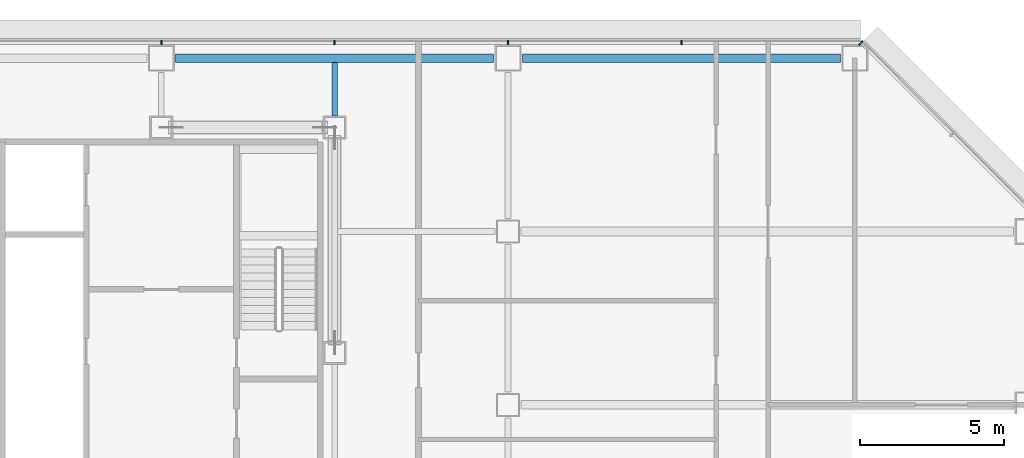
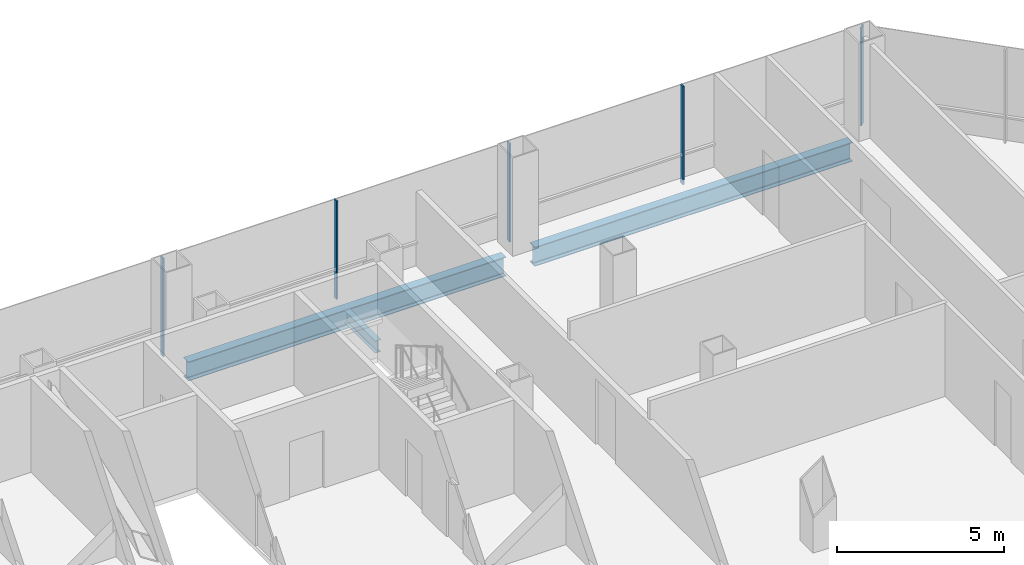
# One storey, part 15 of 27: 5 members, 3 beams, 2 elements without a shape of their own.
"""IFC4 building model written with IfcOpenShell, lengths in metres."""

from ifc_helpers import new_model, si_unit, direction, frame, origin, origin_2d, place, context, subcontext, project, spatial, rectangle, i_section, extrude, material, material_profile, profile_set, type_object, element, aggregate, save


model = new_model("IFC4")

# Units and contexts
model_context = context("Model", 3, precision=1e-05, world=origin(), true_north=direction((0.0, 1.0)))
body_context = subcontext(model_context, "Body", "Model", "MODEL_VIEW")
ifc_project = project(units=[si_unit("LENGTHUNIT", "METRE"), si_unit("AREAUNIT", "SQUARE_METRE"), si_unit("VOLUMEUNIT", "CUBIC_METRE"), si_unit("PLANEANGLEUNIT", "RADIAN"), si_unit("MASSUNIT", "GRAM", prefix="KILO")], contexts=[model_context])

# Site, building, storey
site_placement = place(None, origin())
site = spatial("IfcSite", under=ifc_project, at=site_placement, CompositionType="ELEMENT")
building_placement = place(site_placement, origin())
building = spatial("IfcBuilding", under=site, at=building_placement, Name="Sorahane Residences", CompositionType="ELEMENT")
storey_placement = place(building_placement, frame((0.0, 0.0, 49.800048828125)))
storey = spatial("IfcBuildingStorey", under=building, at=storey_placement, Name="L08", CompositionType="ELEMENT", Elevation=49.800048828125)

# Curtain wall, members
ifc_material_1 = material(Name="Dark low-e glass and black anodised aluminium", Category="aluminium")
curtain_wall_type_1 = type_object("IfcCurtainWallType", Name="Curtain wall CW-1 Typical unitised wall", PredefinedType="NOTDEFINED", material=ifc_material_1)
curtain_wall_1_placement = place(storey_placement, origin())
curtain_wall_1 = element("IfcCurtainWall", 1, at=curtain_wall_1_placement, inside=storey, type_object=curtain_wall_type_1, Name="CW-1 curtain wall L08 N1", PredefinedType="NOTDEFINED")
ifc_material_2 = material(Name="Black anodised aluminium", Category="aluminium")
ifc_material_profile_1 = material_profile(ifc_material_2, rectangle(XDim=0.159912109375, YDim=0.050048828125, at=origin_2d()), Name="Curtain wall mullion CW-1 black anodised aluminium 50x160")
ifc_profile_set_1 = profile_set([ifc_material_profile_1], Name="Black anodised aluminium")
member_type_1 = type_object("IfcMemberType", Name="Curtain wall mullion CW-1 black anodised aluminium 50x160", PredefinedType="MULLION", material=ifc_profile_set_1)
member_1_placement = place(storey_placement, frame((54.0, 48.5400390625, -0.179931640625), z_axis=(0.0, 0.0, 1.0), x_axis=(0.0, 1.0, 0.0)))
member_1 = element("IfcMember", 2, at=member_1_placement, type_object=member_type_1, Name="CW-1 mullion L08 N1.2", PredefinedType="MULLION", context=body_context, shape_type="SweptSolid", body=[
    extrude(rectangle(XDim=0.159912109375, YDim=0.050048828125, at=origin_2d()), origin(), (0.0, 0.0, 1.0), 3.599853515625),
])
member_2_placement = place(storey_placement, frame((48.0, 48.5400390625, -0.179931640625), z_axis=(0.0, 0.0, 1.0), x_axis=(0.0, 1.0, 0.0)))
member_2 = element("IfcMember", 3, at=member_2_placement, type_object=member_type_1, Name="CW-1 mullion L08 N1.3", PredefinedType="MULLION", context=body_context, shape_type="SweptSolid", body=[
    extrude(rectangle(XDim=0.159912109375, YDim=0.050048828125, at=origin_2d()), origin(), (0.0, 0.0, 1.0), 3.599853515625),
])
member_3_placement = place(storey_placement, frame((42.0, 48.5400390625, -0.179931640625), z_axis=(0.0, 0.0, 1.0), x_axis=(0.0, 1.0, 0.0)))
member_3 = element("IfcMember", 4, at=member_3_placement, type_object=member_type_1, Name="CW-1 mullion L08 N1.4", PredefinedType="MULLION", context=body_context, shape_type="SweptSolid", body=[
    extrude(rectangle(XDim=0.159912109375, YDim=0.050048828125, at=origin_2d()), origin(), (0.0, 0.0, 1.0), 3.599853515625),
])
member_4_placement = place(storey_placement, frame((36.0, 48.5400390625, -0.179931640625), z_axis=(0.0, 0.0, 1.0), x_axis=(0.0, 1.0, 0.0)))
member_4 = element("IfcMember", 5, at=member_4_placement, type_object=member_type_1, Name="CW-1 mullion L08 N1.5", PredefinedType="MULLION", context=body_context, shape_type="SweptSolid", body=[
    extrude(rectangle(XDim=0.159912109375, YDim=0.050048828125, at=origin_2d()), origin(), (0.0, 0.0, 1.0), 3.599853515625),
])
aggregate(curtain_wall_1, [member_1, member_2, member_3, member_4])

# Curtain wall, member
ifc_material_3 = material(Name="Dark low-e glass and black anodised aluminium", Category="aluminium")
curtain_wall_type_2 = type_object("IfcCurtainWallType", Name="Curtain wall CW-2 Chamfer unitised wall", PredefinedType="NOTDEFINED", material=ifc_material_3)
curtain_wall_2_placement = place(storey_placement, origin())
curtain_wall_2 = element("IfcCurtainWall", 6, at=curtain_wall_2_placement, inside=storey, type_object=curtain_wall_type_2, Name="CW-2 curtain wall L08 NE1", PredefinedType="NOTDEFINED")
ifc_material_4 = material(Name="Black anodised aluminium", Category="aluminium")
ifc_material_profile_2 = material_profile(ifc_material_4, rectangle(XDim=0.199951171875, YDim=0.050048828125, at=origin_2d()), Name="Curtain wall mullion CW-2 black anodised aluminium 50x200")
ifc_profile_set_2 = profile_set([ifc_material_profile_2], Name="Black anodised aluminium")
member_type_2 = type_object("IfcMemberType", Name="Curtain wall mullion CW-2 black anodised aluminium 50x200", PredefinedType="MULLION", material=ifc_profile_set_2)
member_5_placement = place(storey_placement, frame((60.209716796875, 48.525634765625, -0.179931640625), z_axis=(0.0, 0.0, 1.0), x_axis=(0.707106781187, 0.707106781187, 0.0)))
member_5 = element("IfcMember", 7, at=member_5_placement, type_object=member_type_2, Name="CW-2 mullion L08 NE1.3", PredefinedType="MULLION", context=body_context, shape_type="SweptSolid", body=[
    extrude(rectangle(XDim=0.199951171875, YDim=0.050048828125, at=origin_2d()), origin(), (0.0, 0.0, 1.0), 3.599853515625),
])
aggregate(curtain_wall_2, [member_5])

# Beams
ifc_material_5 = material(Name="Steel Q355B", Category="steel")
ifc_material_profile_3 = material_profile(ifc_material_5, i_section(OverallWidth=0.199951171875, OverallDepth=0.449951171875, WebThickness=0.009033203125, FlangeThickness=0.013916015625, FilletRadius=0.02001953125, at=origin_2d()), Name="HN 450x200x9x14")
ifc_profile_set_3 = profile_set([ifc_material_profile_3], Name="Steel Q355B")
beam_type_1 = type_object("IfcBeamType", Name="Steel floor beam HN 450x200x9x14 Q355B", PredefinedType="BEAM", material=ifc_profile_set_3)
beam_placement = place(storey_placement, frame((42.0, 46.0, -0.405029296875), z_axis=(0.0, 1.0, 0.0), x_axis=(-1.0, 0.0, 0.0)))
element("IfcBeam", 8, at=beam_placement, inside=storey, type_object=beam_type_1, Name="Beam L08 050", PredefinedType="BEAM", context=body_context, shape_type="SweptSolid", body=[
    extrude(i_section(OverallWidth=0.199951171875, OverallDepth=0.449951171875, WebThickness=0.009033203125, FlangeThickness=0.013916015625, FilletRadius=0.02001953125, at=origin_2d()), origin(), (0.0, 0.0, 1.0), 1.85009765625),
])
ifc_material_6 = material(Name="Steel Q355B", Category="steel")
ifc_material_profile_4 = material_profile(ifc_material_6, i_section(OverallWidth=0.300048828125, OverallDepth=0.699951171875, WebThickness=0.012939453125, FlangeThickness=0.02392578125, FilletRadius=0.028076171875, at=origin_2d()), Name="HN 700x300x13x24")
ifc_profile_set_4 = profile_set([ifc_material_profile_4], Name="Steel Q355B")
beam_type_2 = type_object("IfcBeamType", Name="Steel floor beam HN 700x300x13x24 Q355B", PredefinedType="BEAM", material=ifc_profile_set_4)
for number, where, z_axis, x_axis, name in (
    (9, (36.5, 48.0, -0.530029296875), (1.0, 0.0, 0.0), (0.0, 1.0, 0.0), "Beam L08 015"),
    (10, (48.5, 48.0, -0.530029296875), (1.0, 0.0, 0.0), (0.0, 1.0, 0.0), "Beam L08 016"),
):
    element("IfcBeam", number, at=place(storey_placement, frame(where, z_axis=z_axis, x_axis=x_axis)), inside=storey, type_object=beam_type_2, Name=name, PredefinedType="BEAM", context=body_context, shape_type="SweptSolid", body=[
        extrude(i_section(OverallWidth=0.300048828125, OverallDepth=0.699951171875, WebThickness=0.012939453125, FlangeThickness=0.02392578125, FilletRadius=0.028076171875, at=origin_2d()), origin(), (0.0, 0.0, 1.0), 11.0),
    ])

save(model, "model.ifc")
